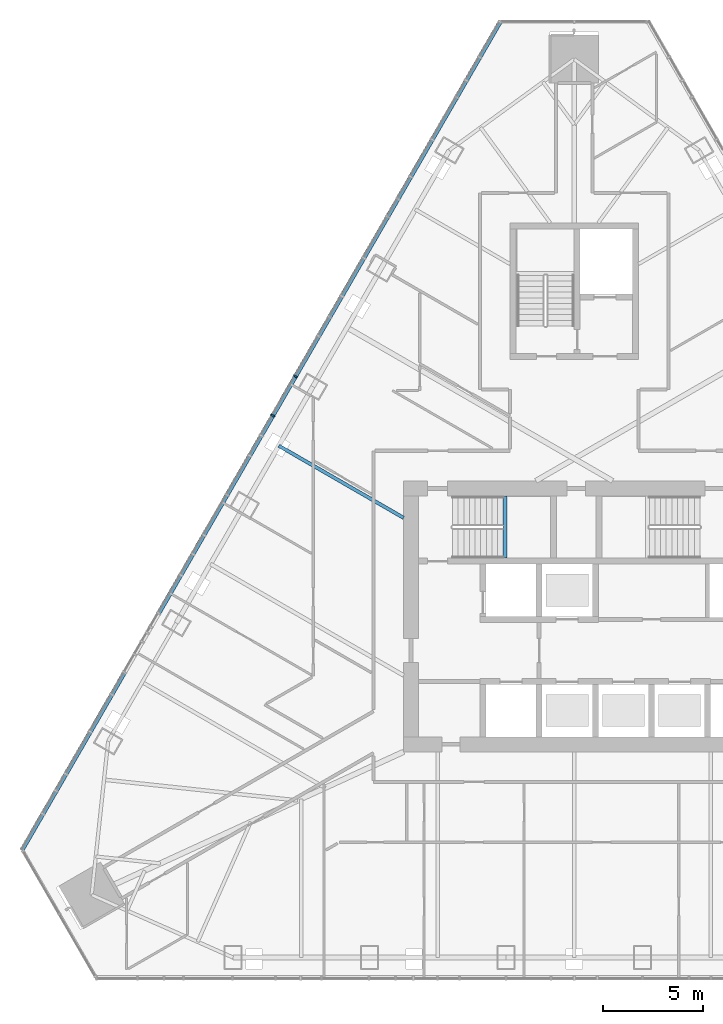
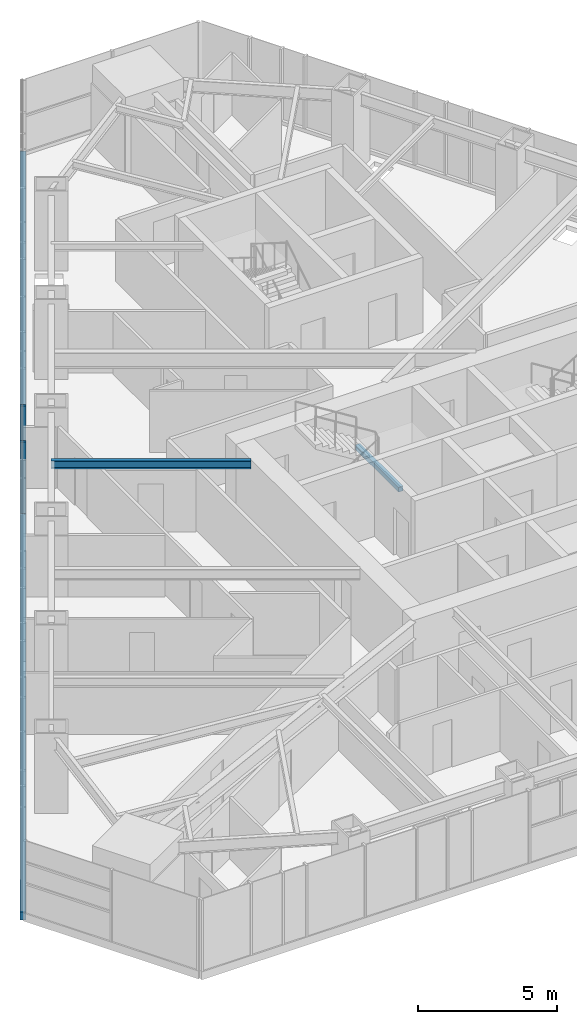
# One storey, part 5 of 19: 3 members, 2 beams, 1 element without a shape of its own.
"""IFC4 building model written with IfcOpenShell, lengths in metres."""

from ifc_helpers import new_model, si_unit, direction, frame, origin, origin_2d, place, context, subcontext, project, spatial, rectangle, i_section, extrude, material, layer, layer_set, material_profile, profile_set, type_object, element, aggregate, save


model = new_model("IFC4")

# Units and contexts
model_context = context("Model", 3, precision=1e-05, world=origin(), true_north=direction((0.0, 1.0)))
body_context = subcontext(model_context, "Body", "Model", "MODEL_VIEW")
ifc_project = project(units=[si_unit("LENGTHUNIT", "METRE"), si_unit("AREAUNIT", "SQUARE_METRE"), si_unit("VOLUMEUNIT", "CUBIC_METRE"), si_unit("PLANEANGLEUNIT", "RADIAN"), si_unit("MASSUNIT", "GRAM", prefix="KILO")], contexts=[model_context])

# Site, building, storey
site_placement = place(None, origin())
site = spatial("IfcSite", under=ifc_project, at=site_placement, CompositionType="ELEMENT")
building_placement = place(site_placement, origin())
building = spatial("IfcBuilding", under=site, at=building_placement, Name="Firuza Gate Tower and Library", CompositionType="ELEMENT")
storey_placement = place(building_placement, frame((0.0, 0.0, 256.60009765625)))
storey = spatial("IfcBuildingStorey", under=building, at=storey_placement, Name="L60", CompositionType="ELEMENT", Elevation=256.60009765625)

# Curtain wall, members
ifc_material_1 = material(Name="Aluminium 6063-T6", Category="aluminium")
ifc_layer = layer(ifc_material_1, 0.14990234375)
ifc_layer_set = layer_set([ifc_layer], Name="Unitised curtain wall, residences")
curtain_wall_type = type_object("IfcCurtainWallType", Name="Unitised curtain wall, residences", PredefinedType="NOTDEFINED", material=ifc_layer_set)
curtain_wall_placement = place(storey_placement, origin())
curtain_wall = element("IfcCurtainWall", 1, at=curtain_wall_placement, inside=storey, type_object=curtain_wall_type, Name="CW3 L60 W face", PredefinedType="NOTDEFINED")
ifc_material_2 = material(Name="Aluminium 6063-T6", Category="aluminium")
ifc_material_profile_1 = material_profile(ifc_material_2, rectangle(XDim=0.219970703125, YDim=0.080078125, at=origin_2d()))
ifc_profile_set_1 = profile_set([ifc_material_profile_1], Name="Aluminium 6063-T6")
member_type_1 = type_object("IfcMemberType", Name="Curtain wall mullion 80x220", PredefinedType="MULLION", material=ifc_profile_set_1)
member_1_placement = place(storey_placement, frame((61.10791015625, 86.953857421875, 0.14990234375), z_axis=(0.0, 0.0, 1.0), x_axis=(0.866025403784, -0.5, 0.0)))
member_1 = element("IfcMember", 2, at=member_1_placement, type_object=member_type_1, Name="Mullion", PredefinedType="MULLION", context=body_context, shape_type="SweptSolid", body=[
    extrude(rectangle(XDim=0.219970703125, YDim=0.080078125, at=origin_2d()), origin(), (0.0, 0.0, 1.0), 3.14990234375),
])
member_2_placement = place(storey_placement, frame((59.979736328125, 84.999755859375, 0.14990234375), z_axis=(0.0, 0.0, 1.0), x_axis=(0.866025403784, -0.5, 0.0)))
member_2 = element("IfcMember", 3, at=member_2_placement, type_object=member_type_1, Name="Mullion", PredefinedType="MULLION", context=body_context, shape_type="SweptSolid", body=[
    extrude(rectangle(XDim=0.219970703125, YDim=0.080078125, at=origin_2d()), origin(), (0.0, 0.0, 1.0), 3.14990234375),
])
ifc_material_3 = material(Name="Aluminium 6063-T6", Category="aluminium")
ifc_material_profile_2 = material_profile(ifc_material_3, rectangle(XDim=0.219970703125, YDim=0.35009765625, at=origin_2d()))
ifc_profile_set_2 = profile_set([ifc_material_profile_2], Name="Aluminium 6063-T6")
member_type_2 = type_object("IfcMemberType", Name="Curtain wall transom 350x220", PredefinedType="USERDEFINED", material=ifc_profile_set_2)
member_3_placement = place(storey_placement, frame((71.326416015625, 104.65283203125, -0.025146484375), z_axis=(-0.499998993462, -0.866025984908, 0.0), x_axis=(0.866025984908, -0.499998993462, 0.0)))
member_3 = element("IfcMember", 4, at=member_3_placement, type_object=member_type_2, Name="Transom", ObjectType="TRANSOM", PredefinedType="USERDEFINED", context=body_context, shape_type="SweptSolid", body=[
    extrude(rectangle(XDim=0.219970703125, YDim=0.35009765625, at=origin_2d()), origin(), (0.0, 0.0, 1.0), 47.6865234375),
])
aggregate(curtain_wall, [member_1, member_3, member_2])

# Beams
ifc_material_4 = material(Name="Concrete C35/45", Category="concrete")
ifc_material_profile_3 = material_profile(ifc_material_4, rectangle(XDim=0.199951171875, YDim=0.199951171875, at=origin_2d()))
ifc_profile_set_3 = profile_set([ifc_material_profile_3], Name="Concrete C35/45")
beam_type_1 = type_object("IfcBeamType", Name="Stair landing bearer 200x200", PredefinedType="BEAM", material=ifc_profile_set_3)
beam_1_placement = place(storey_placement, frame((71.56005859375, 77.89990234375, 1.449951171875), z_axis=(0.0, 1.0, 0.0), x_axis=(-1.0, 0.0, 0.0)))
element("IfcBeam", 5, at=beam_1_placement, inside=storey, type_object=beam_type_1, Name="Landing bearer L60 stair 1", PredefinedType="BEAM", context=body_context, shape_type="SweptSolid", body=[
    extrude(rectangle(XDim=0.199951171875, YDim=0.199951171875, at=origin_2d()), origin(), (0.0, 0.0, 1.0), 3.10009765625),
])
ifc_material_5 = material(Name="Steel S355", Category="steel")
ifc_material_profile_4 = material_profile(ifc_material_5, i_section(OverallWidth=0.1708984375, OverallDepth=0.35498046875, WebThickness=0.007080078125, FlangeThickness=0.01171875, at=origin_2d()))
ifc_profile_set_4 = profile_set([ifc_material_profile_4], Name="Steel S355")
beam_type_2 = type_object("IfcBeamType", Name="W360x51 Floor beam", PredefinedType="JOIST", material=ifc_profile_set_4)
beam_2_placement = place(storey_placement, frame((60.279541015625, 83.4990234375, 3.122314453125), z_axis=(0.866015211635, -0.500017652905, 0.0), x_axis=(0.500017652905, 0.866015211635, 0.0)))
element("IfcBeam", 6, at=beam_2_placement, inside=storey, type_object=beam_type_2, Name="Floor beam L60 s82", PredefinedType="JOIST", context=body_context, shape_type="SweptSolid", body=[
    extrude(i_section(OverallWidth=0.1708984375, OverallDepth=0.35498046875, WebThickness=0.007080078125, FlangeThickness=0.01171875, at=origin_2d()), origin(), (0.0, 0.0, 1.0), 7.182861328125),
])

save(model, "model.ifc")
